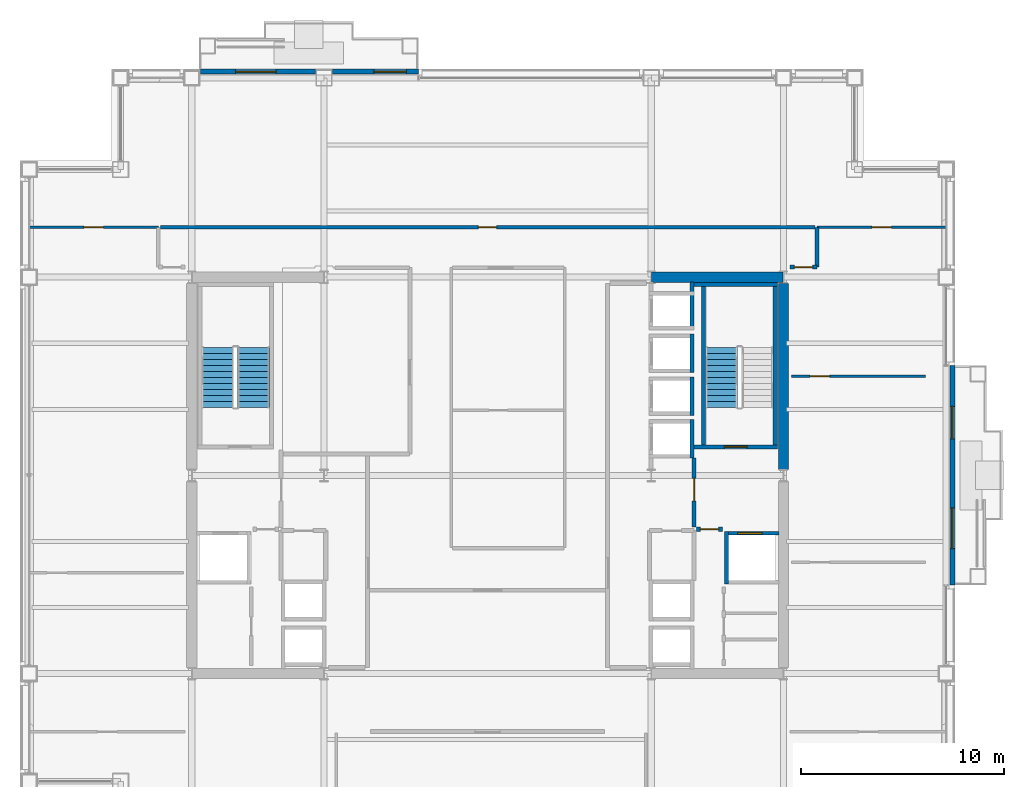
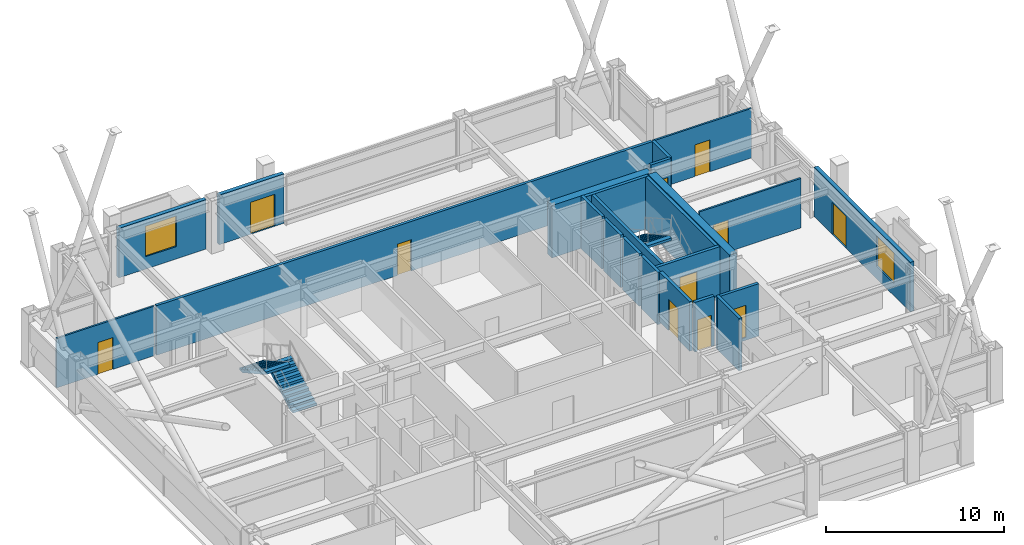
# One storey, part 31 of 35: 23 walls, 11 doors, 3 stair flights, 2 windows, 13 openings, 2 elements without a shape of their own.
"""IFC4 building model written with IfcOpenShell, lengths in metres."""

from ifc_helpers import new_model, si_unit, direction, frame, frame_2d, origin, place, context, subcontext, project, spatial, polyline, rectangle, outline, extrude, material, layer, layer_set, type_object, element, fill, aggregate, save


model = new_model("IFC4")

# Units and contexts
model_context = context("Model", 3, precision=1e-05, world=origin(), true_north=direction((0.0, 1.0)))
body_context = subcontext(model_context, "Body", "Model", "MODEL_VIEW")
ifc_project = project(units=[si_unit("LENGTHUNIT", "METRE"), si_unit("AREAUNIT", "SQUARE_METRE"), si_unit("VOLUMEUNIT", "CUBIC_METRE"), si_unit("PLANEANGLEUNIT", "RADIAN"), si_unit("MASSUNIT", "GRAM", prefix="KILO")], contexts=[model_context])

# Site, building, storey
site_placement = place(None, origin())
site = spatial("IfcSite", under=ifc_project, at=site_placement, CompositionType="ELEMENT")
building_placement = place(site_placement, origin())
building = spatial("IfcBuilding", under=site, at=building_placement, Name="Brelmoor Portico Tower", CompositionType="ELEMENT")
storey_placement = place(building_placement, frame((0.0, 0.0, 131.39990234375)))
storey = spatial("IfcBuildingStorey", under=building, at=storey_placement, Name="L34", CompositionType="ELEMENT", Elevation=131.39990234375)

# Walls
ifc_material_1 = material(Name="Concrete C60", Category="concrete")
ifc_layer_1 = layer(ifc_material_1, 0.5)
ifc_layer_set_1 = layer_set([ifc_layer_1], Name="Concrete C60")
wall_type_1 = type_object("IfcWallType", Name="WL-CORE-500", PredefinedType="SHEAR", material=ifc_layer_set_1)
wall_1_placement = place(storey_placement, frame((8.070068359375, 9.75, -0.199951171875), z_axis=(0.0, 0.0, 1.0), x_axis=(1.0, 0.0, 0.0)))
element("IfcWall", 1, at=wall_1_placement, inside=storey, type_object=wall_type_1, Name="L34 EC North Shear Wall", PredefinedType="SHEAR", context=body_context, shape_type="SweptSolid", body=[
    extrude(rectangle(XDim=6.4599609375, YDim=0.5, at=frame_2d((3.22998046875, 0.0))), origin(), (0.0, 0.0, 1.0), 3.60009765625),
])
wall_2_placement = place(storey_placement, frame((14.550048828125, 0.300048828125, -0.199951171875), z_axis=(0.0, 0.0, 1.0), x_axis=(0.0, 1.0, 0.0)))
element("IfcWall", 2, at=wall_2_placement, inside=storey, type_object=wall_type_1, Name="L34 EC Outer North Shear Wall", PredefinedType="SHEAR", context=body_context, shape_type="SweptSolid", body=[
    extrude(rectangle(XDim=9.14990234375, YDim=0.5, at=frame_2d((4.574951171875, 0.0))), origin(), (0.0, 0.0, 1.0), 3.60009765625),
])

# Wall, opening, window
ifc_material_2 = material(Name="Precast Concrete C40 Insulated Facade Wall", Category="concrete")
ifc_layer_2 = layer(ifc_material_2, 0.25)
ifc_layer_set_2 = layer_set([ifc_layer_2], Name="Precast Concrete C40 Insulated Facade Wall")
wall_type_2 = type_object("IfcWallType", Name="WL-EXT-250", PredefinedType="STANDARD", material=ifc_layer_set_2)
wall_3_placement = place(storey_placement, frame((-14.1298828125, 19.860107421875, 0.0), z_axis=(0.0, 0.0, 1.0), x_axis=(1.0, 0.0, 0.0)))
wall_3 = element("IfcWall", 3, at=wall_3_placement, inside=storey, type_object=wall_type_2, Name="L34 Loggia Threshold Wall N-1", PredefinedType="STANDARD", context=body_context, shape_type="SweptSolid", body=[
    extrude(rectangle(XDim=5.659912109375, YDim=0.25, at=frame_2d((2.830078125, 0.0))), origin(), (0.0, 0.0, 1.0), 3.400146484375),
])
opening_1_placement = place(wall_3_placement, frame((1.72998046875, 0.0, 0.85009765625)))
opening_1 = element("IfcOpeningElement", 4, at=opening_1_placement, cuts=wall_3, Name="Opening W-03", PredefinedType="OPENING", context=body_context, shape_type="SweptSolid", body=[
    extrude(rectangle(XDim=2.0, YDim=2.10009765625, at=frame_2d((1.0, 1.050048828125))), frame((0.0, 0.135009765625, 0.0), z_axis=(0.0, -1.0, 0.0), x_axis=(1.0, 0.0, 0.0)), (0.0, 0.0, 1.0), 0.27001953125),
])
ifc_material_3 = material(Name="Thermally Broken Aluminium Low-E Window", Category="aluminium")
window_type = type_object("IfcWindowType", Name="WN-LOGGIA-2000x2100", PartitioningType="SINGLE_PANEL", PredefinedType="WINDOW", material=ifc_material_3)
window_1_placement = place(opening_1_placement, origin())
window_1 = element("IfcWindow", 5, at=window_1_placement, inside=storey, type_object=window_type, Name="L34 Loggia Window N", OverallHeight=2.10009765625, OverallWidth=2.0, PartitioningType="SINGLE_PANEL", PredefinedType="WINDOW", context=body_context, shape_type="SweptSolid", body=[
    extrude(rectangle(XDim=2.0, YDim=2.10009765625, at=frame_2d((1.0, 1.050048828125))), frame((0.0, 0.030029296875, 0.0), z_axis=(0.0, -1.0, 0.0), x_axis=(1.0, 0.0, 0.0)), (0.0, 0.0, 1.0), 0.06005859375),
])
fill(opening_1, window_1)

# Wall, opening, door
wall_4_placement = place(storey_placement, frame((-7.6298828125, 19.860107421875, 0.0), z_axis=(0.0, 0.0, 1.0), x_axis=(1.0, 0.0, 0.0)))
wall_4 = element("IfcWall", 6, at=wall_4_placement, inside=storey, type_object=wall_type_2, Name="L34 Loggia Threshold Wall N-2", PredefinedType="STANDARD", context=body_context, shape_type="SweptSolid", body=[
    extrude(rectangle(XDim=4.22998046875, YDim=0.25, at=frame_2d((2.114990234375, 0.0))), origin(), (0.0, 0.0, 1.0), 3.400146484375),
])
opening_2_placement = place(wall_4_placement, frame((2.030029296875, 0.0, 0.0)))
opening_2 = element("IfcOpeningElement", 7, at=opening_2_placement, cuts=wall_4, Name="Opening D-TB1", PredefinedType="OPENING", context=body_context, shape_type="SweptSolid", body=[
    extrude(rectangle(XDim=1.60009765625, YDim=2.199951171875, at=frame_2d((0.800048828125, 1.10009765625))), frame((0.0, 0.135009765625, 0.0), z_axis=(0.0, -1.0, 0.0), x_axis=(1.0, 0.0, 0.0)), (0.0, 0.0, 1.0), 0.27001953125),
])
ifc_material_4 = material(Name="Double-Leaf Thermally Broken Terrace Door", Category="aluminium")
door_type_1 = type_object("IfcDoorType", Name="DR-BALCONY-1600", OperationType="NOTDEFINED", PredefinedType="DOOR", material=ifc_material_4)
door_1_placement = place(opening_2_placement, origin())
door_1 = element("IfcDoor", 8, at=door_1_placement, inside=storey, type_object=door_type_1, Name="D-1499 L34 Tree Balcony Double Door N", OperationType="DOUBLE_DOOR_SINGLE_SWING", OverallHeight=2.199951171875, OverallWidth=1.60009765625, PredefinedType="DOOR", context=body_context, shape_type="SweptSolid", body=[
    extrude(rectangle(XDim=1.60009765625, YDim=2.199951171875, at=frame_2d((0.800048828125, 1.10009765625))), frame((0.0, 0.02490234375, 0.0), z_axis=(0.0, -1.0, 0.0), x_axis=(1.0, 0.0, 0.0)), (0.0, 0.0, 1.0), 0.050048828125),
])
fill(opening_2, door_1)

# Wall, openings, door, window
wall_5_placement = place(storey_placement, frame((22.860107421875, -5.39990234375, 0.0), z_axis=(0.0, 0.0, 1.0), x_axis=(0.0, 1.0, 0.0)))
wall_5 = element("IfcWall", 9, at=wall_5_placement, inside=storey, type_object=wall_type_2, Name="L34 Loggia Threshold Wall E-1", PredefinedType="STANDARD", context=body_context, shape_type="SweptSolid", body=[
    extrude(rectangle(XDim=10.7998046875, YDim=0.25, at=frame_2d((5.39990234375, 0.0))), origin(), (0.0, 0.0, 1.0), 3.400146484375),
])
opening_3_placement = place(wall_5_placement, frame((7.199951171875, 0.0, 0.0)))
opening_3 = element("IfcOpeningElement", 10, at=opening_3_placement, cuts=wall_5, Name="Opening D-TB1", PredefinedType="OPENING", context=body_context, shape_type="SweptSolid", body=[
    extrude(rectangle(XDim=1.60009765625, YDim=2.199951171875, at=frame_2d((0.800048828125, 1.10009765625))), frame((0.0, 0.135009765625, 0.0), z_axis=(0.0, -1.0, 0.0), x_axis=(1.0, 0.0, 0.0)), (0.0, 0.0, 1.0), 0.27001953125),
])
opening_4_placement = place(wall_5_placement, frame((1.800048828125, 0.0, 0.85009765625)))
opening_4 = element("IfcOpeningElement", 11, at=opening_4_placement, cuts=wall_5, Name="Opening W-03", PredefinedType="OPENING", context=body_context, shape_type="SweptSolid", body=[
    extrude(rectangle(XDim=2.0, YDim=2.10009765625, at=frame_2d((1.0, 1.050048828125))), frame((0.0, 0.135009765625, 0.0), z_axis=(0.0, -1.0, 0.0), x_axis=(1.0, 0.0, 0.0)), (0.0, 0.0, 1.0), 0.27001953125),
])
door_2_placement = place(opening_3_placement, origin())
door_2 = element("IfcDoor", 12, at=door_2_placement, inside=storey, type_object=door_type_1, Name="D-1498 L34 Tree Balcony Double Door E", OperationType="DOUBLE_DOOR_SINGLE_SWING", OverallHeight=2.199951171875, OverallWidth=1.60009765625, PredefinedType="DOOR", context=body_context, shape_type="SweptSolid", body=[
    extrude(rectangle(XDim=1.60009765625, YDim=2.199951171875, at=frame_2d((0.800048828125, 1.10009765625))), frame((0.0, 0.02490234375, 0.0), z_axis=(0.0, -1.0, 0.0), x_axis=(1.0, 0.0, 0.0)), (0.0, 0.0, 1.0), 0.050048828125),
])
fill(opening_3, door_2)
window_2_placement = place(opening_4_placement, origin())
window_2 = element("IfcWindow", 13, at=window_2_placement, inside=storey, type_object=window_type, Name="L34 Loggia Window E", OverallHeight=2.10009765625, OverallWidth=2.0, PartitioningType="SINGLE_PANEL", PredefinedType="WINDOW", context=body_context, shape_type="SweptSolid", body=[
    extrude(rectangle(XDim=2.0, YDim=2.10009765625, at=frame_2d((1.0, 1.050048828125))), frame((0.0, 0.030029296875, 0.0), z_axis=(0.0, -1.0, 0.0), x_axis=(1.0, 0.0, 0.0)), (0.0, 0.0, 1.0), 0.06005859375),
])
fill(opening_4, window_2)

# Wall, opening, door
ifc_material_5 = material(Name="Lightweight Gypsum Office Partition", Category="gypsum")
ifc_layer_3 = layer(ifc_material_5, 0.1201171875)
ifc_layer_set_3 = layer_set([ifc_layer_3], Name="Lightweight Gypsum Office Partition")
wall_type_3 = type_object("IfcWallType", Name="WL-PART-120", PredefinedType="PARTITIONING", material=ifc_layer_set_3)
wall_6_placement = place(storey_placement, frame((-22.56005859375, 12.199951171875, 0.0), z_axis=(0.0, 0.0, 1.0), x_axis=(1.0, 0.0, 0.0)))
wall_6 = element("IfcWall", 14, at=wall_6_placement, inside=storey, type_object=wall_type_3, Name="L34 North Wing Closure WL", PredefinedType="PARTITIONING", context=body_context, shape_type="SweptSolid", body=[
    extrude(rectangle(XDim=6.360107421875, YDim=0.1201171875, at=frame_2d((3.18017578125, 0.0))), origin(), (0.0, 0.0, 1.0), 3.400146484375),
])
opening_5_placement = place(wall_6_placement, frame((2.699951171875, 0.0, 0.0)))
opening_5 = element("IfcOpeningElement", 15, at=opening_5_placement, cuts=wall_6, Name="Opening D-IN2", PredefinedType="OPENING", context=body_context, shape_type="SweptSolid", body=[
    extrude(rectangle(XDim=0.9599609375, YDim=2.179931640625, at=frame_2d((0.47998046875, 1.08984375))), frame((0.0, 0.070068359375, 0.0), z_axis=(0.0, -1.0, 0.0), x_axis=(1.0, 0.0, 0.0)), (0.0, 0.0, 1.0), 0.14013671875),
])
ifc_material_6 = material(Name="Lacquered Timber Suite Door", Category="wood")
door_type_2 = type_object("IfcDoorType", Name="DR-INT-950", OperationType="NOTDEFINED", PredefinedType="DOOR", material=ifc_material_6)
door_3_placement = place(opening_5_placement, origin())
door_3 = element("IfcDoor", 16, at=door_3_placement, inside=storey, type_object=door_type_2, Name="D-1489 L34 WL Wing North Suite Door", OperationType="SINGLE_SWING_LEFT", OverallHeight=2.179931640625, OverallWidth=0.9599609375, PredefinedType="DOOR", context=body_context, shape_type="SweptSolid", body=[
    extrude(rectangle(XDim=0.9599609375, YDim=2.179931640625, at=frame_2d((0.47998046875, 1.08984375))), frame((0.0, 0.02490234375, 0.0), z_axis=(0.0, -1.0, 0.0), x_axis=(1.0, 0.0, 0.0)), (0.0, 0.0, 1.0), 0.050048828125),
])
fill(opening_5, door_3)

wall_7_placement = place(storey_placement, frame((16.199951171875, 12.199951171875, 0.0), z_axis=(0.0, 0.0, 1.0), x_axis=(1.0, 0.0, 0.0)))
wall_7 = element("IfcWall", 17, at=wall_7_placement, inside=storey, type_object=wall_type_3, Name="L34 North Wing Closure ER", PredefinedType="PARTITIONING", context=body_context, shape_type="SweptSolid", body=[
    extrude(rectangle(XDim=6.360107421875, YDim=0.1201171875, at=frame_2d((3.18017578125, 0.0))), origin(), (0.0, 0.0, 1.0), 3.400146484375),
])
opening_6_placement = place(wall_7_placement, frame((2.699951171875, 0.0, 0.0)))
opening_6 = element("IfcOpeningElement", 18, at=opening_6_placement, cuts=wall_7, Name="Opening D-IN2", PredefinedType="OPENING", context=body_context, shape_type="SweptSolid", body=[
    extrude(rectangle(XDim=0.9599609375, YDim=2.179931640625, at=frame_2d((0.47998046875, 1.08984375))), frame((0.0, 0.070068359375, 0.0), z_axis=(0.0, -1.0, 0.0), x_axis=(1.0, 0.0, 0.0)), (0.0, 0.0, 1.0), 0.14013671875),
])
door_4_placement = place(opening_6_placement, origin())
door_4 = element("IfcDoor", 19, at=door_4_placement, inside=storey, type_object=door_type_2, Name="D-1488 L34 ER Wing North Suite Door", OperationType="SINGLE_SWING_RIGHT", OverallHeight=2.179931640625, OverallWidth=0.9599609375, PredefinedType="DOOR", context=body_context, shape_type="SweptSolid", body=[
    extrude(rectangle(XDim=0.9599609375, YDim=2.179931640625, at=frame_2d((0.47998046875, 1.08984375))), frame((0.0, 0.02490234375, 0.0), z_axis=(0.0, -1.0, 0.0), x_axis=(1.0, 0.0, 0.0)), (0.0, 0.0, 1.0), 0.050048828125),
])
fill(opening_6, door_4)

wall_8_placement = place(storey_placement, frame((14.9599609375, 4.8701171875, 0.0), z_axis=(0.0, 0.0, 1.0), x_axis=(1.0, 0.0, 0.0)))
wall_8 = element("IfcWall", 20, at=wall_8_placement, inside=storey, type_object=wall_type_3, Name="L34 E Wing Partition 2", PredefinedType="PARTITIONING", context=body_context, shape_type="SweptSolid", body=[
    extrude(rectangle(XDim=6.590087890625, YDim=0.1201171875, at=frame_2d((3.294921875, 0.0))), origin(), (0.0, 0.0, 1.0), 3.400146484375),
])
opening_7_placement = place(wall_8_placement, frame((0.89990234375, 0.0, 0.0)))
opening_7 = element("IfcOpeningElement", 21, at=opening_7_placement, cuts=wall_8, Name="Opening D-IN2", PredefinedType="OPENING", context=body_context, shape_type="SweptSolid", body=[
    extrude(rectangle(XDim=0.9599609375, YDim=2.179931640625, at=frame_2d((0.47998046875, 1.08984375))), frame((0.0, 0.070068359375, 0.0), z_axis=(0.0, -1.0, 0.0), x_axis=(1.0, 0.0, 0.0)), (0.0, 0.0, 1.0), 0.14013671875),
])
door_5_placement = place(opening_7_placement, origin())
door_5 = element("IfcDoor", 22, at=door_5_placement, inside=storey, type_object=door_type_2, Name="D-1501 L34 E Wing Suite Connecting Door 2", OperationType="SINGLE_SWING_RIGHT", OverallHeight=2.179931640625, OverallWidth=0.9599609375, PredefinedType="DOOR", context=body_context, shape_type="SweptSolid", body=[
    extrude(rectangle(XDim=0.9599609375, YDim=2.179931640625, at=frame_2d((0.47998046875, 1.08984375))), frame((0.0, 0.02490234375, 0.0), z_axis=(0.0, -1.0, 0.0), x_axis=(1.0, 0.0, 0.0)), (0.0, 0.0, 1.0), 0.050048828125),
])
fill(opening_7, door_5)

ifc_material_7 = material(Name="Acoustic Corridor Fire Partition", Category="gypsum")
ifc_layer_4 = layer(ifc_material_7, 0.179931640625)
ifc_layer_set_4 = layer_set([ifc_layer_4], Name="Acoustic Corridor Fire Partition")
wall_type_4 = type_object("IfcWallType", Name="WL-PART-180", PredefinedType="PARTITIONING", material=ifc_layer_set_4)
wall_9_placement = place(storey_placement, frame((-16.10009765625, 12.199951171875, 0.0), z_axis=(0.0, 0.0, 1.0), x_axis=(1.0, 0.0, 0.0)))
wall_9 = element("IfcWall", 23, at=wall_9_placement, inside=storey, type_object=wall_type_4, Name="L34 North Corridor Partition", PredefinedType="PARTITIONING", context=body_context, shape_type="SweptSolid", body=[
    extrude(rectangle(XDim=32.2001953125, YDim=0.179931640625, at=frame_2d((16.10009765625, 0.0))), origin(), (0.0, 0.0, 1.0), 3.400146484375),
])
opening_8_placement = place(wall_9_placement, frame((15.64990234375, 0.0, 0.0)))
opening_8 = element("IfcOpeningElement", 24, at=opening_8_placement, cuts=wall_9, Name="Opening D-IN1", PredefinedType="OPENING", context=body_context, shape_type="SweptSolid", body=[
    extrude(rectangle(XDim=0.89990234375, YDim=2.14990234375, at=frame_2d((0.449951171875, 1.074951171875))), frame((0.0, 0.099853515625, 0.0), z_axis=(0.0, -1.0, 0.0), x_axis=(1.0, 0.0, 0.0)), (0.0, 0.0, 1.0), 0.199951171875),
])
door_type_3 = type_object("IfcDoorType", Name="DR-INT-900", OperationType="NOTDEFINED", PredefinedType="DOOR", material=ifc_material_6)
door_6_placement = place(opening_8_placement, origin())
door_6 = element("IfcDoor", 25, at=door_6_placement, inside=storey, type_object=door_type_3, Name="D-1487 L34 North Reading Library 1 Door", OperationType="SINGLE_SWING_RIGHT", OverallHeight=2.14990234375, OverallWidth=0.89990234375, PredefinedType="DOOR", context=body_context, shape_type="SweptSolid", body=[
    extrude(rectangle(XDim=0.89990234375, YDim=2.14990234375, at=frame_2d((0.449951171875, 1.074951171875))), frame((0.0, 0.02490234375, 0.0), z_axis=(0.0, -1.0, 0.0), x_axis=(1.0, 0.0, 0.0)), (0.0, 0.0, 1.0), 0.050048828125),
])
fill(opening_8, door_6)

wall_10_placement = place(storey_placement, frame((14.8798828125, 10.25, 0.0), z_axis=(0.0, 0.0, 1.0), x_axis=(1.0, 0.0, 0.0)))
wall_10 = element("IfcWall", 26, at=wall_10_placement, inside=storey, type_object=wall_type_4, Name="L34 E Wing North Entry Wall", PredefinedType="PARTITIONING", context=body_context, shape_type="SweptSolid", body=[
    extrude(rectangle(XDim=1.320068359375, YDim=0.179931640625, at=frame_2d((0.66015625, 0.0))), origin(), (0.0, 0.0, 1.0), 3.400146484375),
])
opening_9_placement = place(wall_10_placement, frame((0.2099609375, 0.0, 0.0)))
opening_9 = element("IfcOpeningElement", 27, at=opening_9_placement, cuts=wall_10, Name="Opening D-IN1", PredefinedType="OPENING", context=body_context, shape_type="SweptSolid", body=[
    extrude(rectangle(XDim=0.89990234375, YDim=2.14990234375, at=frame_2d((0.449951171875, 1.074951171875))), frame((0.0, 0.099853515625, 0.0), z_axis=(0.0, -1.0, 0.0), x_axis=(1.0, 0.0, 0.0)), (0.0, 0.0, 1.0), 0.199951171875),
])
door_7_placement = place(opening_9_placement, origin())
door_7 = element("IfcDoor", 28, at=door_7_placement, inside=storey, type_object=door_type_3, Name="D-1502 L34 E Wing Entry Door", OperationType="SINGLE_SWING_RIGHT", OverallHeight=2.14990234375, OverallWidth=0.89990234375, PredefinedType="DOOR", context=body_context, shape_type="SweptSolid", body=[
    extrude(rectangle(XDim=0.89990234375, YDim=2.14990234375, at=frame_2d((0.449951171875, 1.074951171875))), frame((0.0, 0.02490234375, 0.0), z_axis=(0.0, -1.0, 0.0), x_axis=(1.0, 0.0, 0.0)), (0.0, 0.0, 1.0), 0.050048828125),
])
fill(opening_9, door_7)

# Wall
wall_11_placement = place(storey_placement, frame((16.199951171875, 10.25, 0.0), z_axis=(0.0, 0.0, 1.0), x_axis=(0.0, 1.0, 0.0)))
element("IfcWall", 29, at=wall_11_placement, inside=storey, type_object=wall_type_4, Name="L34 E Corridor End Closure", PredefinedType="PARTITIONING", context=body_context, shape_type="SweptSolid", body=[
    extrude(rectangle(XDim=1.949951171875, YDim=0.179931640625, at=frame_2d((0.97509765625, 0.0))), origin(), (0.0, 0.0, 1.0), 3.400146484375),
])

# Wall, opening, door
ifc_material_8 = material(Name="Double-Stud Gypsum Fire Partition", Category="gypsum")
ifc_layer_5 = layer(ifc_material_8, 0.199951171875)
ifc_layer_set_5 = layer_set([ifc_layer_5], Name="Double-Stud Gypsum Fire Partition")
wall_type_5 = type_object("IfcWallType", Name="WL-PART-200", PredefinedType="PARTITIONING", material=ifc_layer_set_5)
wall_12_placement = place(storey_placement, frame((10.159912109375, -2.550048828125, 0.0), z_axis=(0.0, 0.0, 1.0), x_axis=(0.0, 1.0, 0.0)))
wall_12 = element("IfcWall", 30, at=wall_12_placement, inside=storey, type_object=wall_type_5, Name="L34 E Firefighting Lobby Wall", PredefinedType="PARTITIONING", context=body_context, shape_type="SweptSolid", body=[
    extrude(rectangle(XDim=3.400146484375, YDim=0.199951171875, at=frame_2d((1.7001953125, 0.0))), origin(), (0.0, 0.0, 1.0), 3.400146484375),
])
opening_10_placement = place(wall_12_placement, frame((1.300048828125, 0.0, 0.0)))
opening_10 = element("IfcOpeningElement", 31, at=opening_10_placement, cuts=wall_12, Name="Opening D-FR1", PredefinedType="OPENING", context=body_context, shape_type="SweptSolid", body=[
    extrude(rectangle(XDim=1.10009765625, YDim=2.14990234375, at=frame_2d((0.550048828125, 1.074951171875))), frame((0.0, 0.10986328125, 0.0), z_axis=(0.0, -1.0, 0.0), x_axis=(1.0, 0.0, 0.0)), (0.0, 0.0, 1.0), 0.219970703125),
])
ifc_material_9 = material(Name="Painted Galvanised Steel Fire Door", Category="steel")
door_type_4 = type_object("IfcDoorType", Name="DR-FIRE-1100", OperationType="NOTDEFINED", PredefinedType="DOOR", material=ifc_material_9)
door_8_placement = place(opening_10_placement, origin())
door_8 = element("IfcDoor", 32, at=door_8_placement, inside=storey, type_object=door_type_4, Name="D-1483 L34 E Firefighting Lobby Door", OperationType="SINGLE_SWING_LEFT", OverallHeight=2.14990234375, OverallWidth=1.10009765625, PredefinedType="DOOR", context=body_context, shape_type="SweptSolid", body=[
    extrude(rectangle(XDim=1.10009765625, YDim=2.14990234375, at=frame_2d((0.550048828125, 1.074951171875))), frame((0.0, 0.02490234375, 0.0), z_axis=(0.0, -1.0, 0.0), x_axis=(1.0, 0.0, 0.0)), (0.0, 0.0, 1.0), 0.050048828125),
])
fill(opening_10, door_8)

wall_13_placement = place(storey_placement, frame((10.280029296875, -2.64990234375, 0.0), z_axis=(0.0, 0.0, 1.0), x_axis=(1.0, 0.0, 0.0)))
wall_13 = element("IfcWall", 33, at=wall_13_placement, inside=storey, type_object=wall_type_5, Name="L34 E Firefighting Lobby South Wall", PredefinedType="PARTITIONING", context=body_context, shape_type="SweptSolid", body=[
    extrude(rectangle(XDim=1.27001953125, YDim=0.199951171875, at=frame_2d((0.635009765625, 0.0))), origin(), (0.0, 0.0, 1.0), 3.400146484375),
])
opening_11_placement = place(wall_13_placement, frame((0.18505859375, 0.0, 0.0)))
opening_11 = element("IfcOpeningElement", 34, at=opening_11_placement, cuts=wall_13, Name="Opening D-IN1", PredefinedType="OPENING", context=body_context, shape_type="SweptSolid", body=[
    extrude(rectangle(XDim=0.89990234375, YDim=2.14990234375, at=frame_2d((0.449951171875, 1.074951171875))), frame((0.0, 0.10986328125, 0.0), z_axis=(0.0, -1.0, 0.0), x_axis=(1.0, 0.0, 0.0)), (0.0, 0.0, 1.0), 0.219970703125),
])
door_9_placement = place(opening_11_placement, origin())
door_9 = element("IfcDoor", 35, at=door_9_placement, inside=storey, type_object=door_type_3, Name="D-1478 L34 E Core Service Vestibule Door", OperationType="SINGLE_SWING_RIGHT", OverallHeight=2.14990234375, OverallWidth=0.89990234375, PredefinedType="DOOR", context=body_context, shape_type="SweptSolid", body=[
    extrude(rectangle(XDim=0.89990234375, YDim=2.14990234375, at=frame_2d((0.449951171875, 1.074951171875))), frame((0.0, 0.02490234375, 0.0), z_axis=(0.0, -1.0, 0.0), x_axis=(1.0, 0.0, 0.0)), (0.0, 0.0, 1.0), 0.050048828125),
])
fill(opening_11, door_9)

# Walls
ifc_material_10 = material(Name="Precast Concrete C40", Category="concrete")
ifc_layer_6 = layer(ifc_material_10, 0.18994140625)
ifc_layer_set_6 = layer_set([ifc_layer_6], Name="Precast Concrete C40")
wall_type_6 = type_object("IfcWallType", Name="WL-SHAFT-180", PredefinedType="SOLIDWALL", material=ifc_layer_set_6)
wall_14_placement = place(storey_placement, frame((10.054931640625, 0.85009765625, -0.199951171875), z_axis=(0.0, 0.0, 1.0), x_axis=(0.0, 1.0, 0.0)))
element("IfcWall", 36, at=wall_14_placement, inside=storey, type_object=wall_type_6, Name="L34 Lift PM1 Hoistway Back Wall", PredefinedType="SOLIDWALL", context=body_context, shape_type="SweptSolid", body=[
    extrude(rectangle(XDim=1.89990234375, YDim=0.18994140625, at=frame_2d((0.949951171875, 0.0))), origin(), (0.0, 0.0, 1.0), 3.60009765625),
])
wall_15_placement = place(storey_placement, frame((10.054931640625, 2.949951171875, -0.199951171875), z_axis=(0.0, 0.0, 1.0), x_axis=(0.0, 1.0, 0.0)))
element("IfcWall", 37, at=wall_15_placement, inside=storey, type_object=wall_type_6, Name="L34 Lift PM2 Hoistway Back Wall", PredefinedType="SOLIDWALL", context=body_context, shape_type="SweptSolid", body=[
    extrude(rectangle(XDim=1.900146484375, YDim=0.18994140625, at=frame_2d((0.9501953125, 0.0))), origin(), (0.0, 0.0, 1.0), 3.60009765625),
])
wall_16_placement = place(storey_placement, frame((10.054931640625, 5.050048828125, -0.199951171875), z_axis=(0.0, 0.0, 1.0), x_axis=(0.0, 1.0, 0.0)))
element("IfcWall", 38, at=wall_16_placement, inside=storey, type_object=wall_type_6, Name="L34 Lift PM3 Hoistway Back Wall", PredefinedType="SOLIDWALL", context=body_context, shape_type="SweptSolid", body=[
    extrude(rectangle(XDim=1.89990234375, YDim=0.18994140625, at=frame_2d((0.949951171875, 0.0))), origin(), (0.0, 0.0, 1.0), 3.60009765625),
])
wall_17_placement = place(storey_placement, frame((10.054931640625, 7.14990234375, -0.199951171875), z_axis=(0.0, 0.0, 1.0), x_axis=(0.0, 1.0, 0.0)))
element("IfcWall", 39, at=wall_17_placement, inside=storey, type_object=wall_type_6, Name="L34 Lift PM4 Hoistway Back Wall", PredefinedType="SOLIDWALL", context=body_context, shape_type="SweptSolid", body=[
    extrude(rectangle(XDim=2.3701171875, YDim=0.18994140625, at=frame_2d((1.18505859375, 0.0))), origin(), (0.0, 0.0, 1.0), 3.60009765625),
])

# Wall, opening, door
wall_18_placement = place(storey_placement, frame((11.64990234375, -2.844970703125, -0.199951171875), z_axis=(0.0, 0.0, 1.0), x_axis=(1.0, 0.0, 0.0)))
wall_18 = element("IfcWall", 40, at=wall_18_placement, inside=storey, type_object=wall_type_6, Name="L34 Lift FF2 Hoistway Front Wall", PredefinedType="SOLIDWALL", context=body_context, shape_type="SweptSolid", body=[
    extrude(rectangle(XDim=2.68017578125, YDim=0.18994140625, at=frame_2d((1.340087890625, 0.0))), origin(), (0.0, 0.0, 1.0), 3.60009765625),
])
opening_12_placement = place(wall_18_placement, frame((0.64990234375, 0.0, 0.199951171875)))
opening_12 = element("IfcOpeningElement", 41, at=opening_12_placement, cuts=wall_18, Name="Opening LD-02", PredefinedType="OPENING", context=body_context, shape_type="SweptSolid", body=[
    extrude(rectangle(XDim=1.199951171875, YDim=2.199951171875, at=frame_2d((0.60009765625, 1.10009765625))), frame((0.0, 0.10498046875, 0.0), z_axis=(0.0, -1.0, 0.0), x_axis=(1.0, 0.0, 0.0)), (0.0, 0.0, 1.0), 0.2099609375),
])
ifc_material_11 = material(Name="Brushed Stainless Steel Firefighting Lift Door", Category="steel")
door_type_5 = type_object("IfcDoorType", Name="DR-LIFT-1200", OperationType="NOTDEFINED", PredefinedType="DOOR", material=ifc_material_11)
door_10_placement = place(opening_12_placement, origin())
door_10 = element("IfcDoor", 42, at=door_10_placement, inside=storey, type_object=door_type_5, Name="D-1506 L34 Lift FF2 Sliding Landing Door", OperationType="SLIDING_TO_LEFT", OverallHeight=2.199951171875, OverallWidth=1.199951171875, PredefinedType="DOOR", context=body_context, shape_type="SweptSolid", body=[
    extrude(rectangle(XDim=1.199951171875, YDim=2.199951171875, at=frame_2d((0.60009765625, 1.10009765625))), frame((0.0, 0.02490234375, 0.0), z_axis=(0.0, -1.0, 0.0), x_axis=(1.0, 0.0, 0.0)), (0.0, 0.0, 1.0), 0.050048828125),
])
fill(opening_12, door_10)

# Walls
wall_19_placement = place(storey_placement, frame((11.7451171875, -5.35009765625, -0.199951171875), z_axis=(0.0, 0.0, 1.0), x_axis=(0.0, 1.0, 0.0)))
element("IfcWall", 43, at=wall_19_placement, inside=storey, type_object=wall_type_6, Name="L34 Firefighting Lift FF2 Inner Wall", PredefinedType="SOLIDWALL", context=body_context, shape_type="SweptSolid", body=[
    extrude(rectangle(XDim=2.60009765625, YDim=0.18994140625, at=frame_2d((1.300048828125, 0.0))), origin(), (0.0, 0.0, 1.0), 3.60009765625),
])
ifc_material_12 = material(Name="Concrete C40", Category="concrete")
ifc_layer_7 = layer(ifc_material_12, 0.199951171875)
ifc_layer_set_7 = layer_set([ifc_layer_7], Name="Concrete C40")
wall_type_7 = type_object("IfcWallType", Name="WL-SHAFT-RC200", PredefinedType="SOLIDWALL", material=ifc_layer_set_7)
wall_20_placement = place(storey_placement, frame((14.14990234375, 1.5, -0.199951171875), z_axis=(0.0, 0.0, 1.0), x_axis=(0.0, 1.0, 0.0)))
element("IfcWall", 44, at=wall_20_placement, inside=storey, type_object=wall_type_7, Name="L34 ST-E Structural Stair Wall Outer", PredefinedType="SOLIDWALL", context=body_context, shape_type="SweptSolid", body=[
    extrude(rectangle(XDim=7.800048828125, YDim=0.199951171875, at=frame_2d((3.89990234375, 0.0))), origin(), (0.0, 0.0, 1.0), 3.60009765625),
])

# Wall, opening, door
wall_21_placement = place(storey_placement, frame((10.14990234375, 1.39990234375, -0.199951171875), z_axis=(0.0, 0.0, 1.0), x_axis=(1.0, 0.0, 0.0)))
wall_21 = element("IfcWall", 45, at=wall_21_placement, inside=storey, type_object=wall_type_7, Name="L34 ST-E Structural Stair Wall S", PredefinedType="SOLIDWALL", context=body_context, shape_type="SweptSolid", body=[
    extrude(rectangle(XDim=4.10009765625, YDim=0.199951171875, at=frame_2d((2.050048828125, 0.0))), origin(), (0.0, 0.0, 1.0), 3.60009765625),
])
opening_13_placement = place(wall_21_placement, frame((1.5, 0.0, 0.199951171875)))
opening_13 = element("IfcOpeningElement", 46, at=opening_13_placement, cuts=wall_21, Name="Opening D-ST1", PredefinedType="OPENING", context=body_context, shape_type="SweptSolid", body=[
    extrude(rectangle(XDim=1.1201171875, YDim=2.179931640625, at=frame_2d((0.56005859375, 1.08984375))), frame((0.0, 0.10986328125, 0.0), z_axis=(0.0, -1.0, 0.0), x_axis=(1.0, 0.0, 0.0)), (0.0, 0.0, 1.0), 0.219970703125),
])
door_type_6 = type_object("IfcDoorType", Name="DR-STAIR-1100", OperationType="NOTDEFINED", PredefinedType="DOOR", material=ifc_material_9)
door_11_placement = place(opening_13_placement, origin())
door_11 = element("IfcDoor", 47, at=door_11_placement, inside=storey, type_object=door_type_6, Name="D-1494 L34 ST-E Protected Exit Stair Door", OperationType="SINGLE_SWING_RIGHT", OverallHeight=2.179931640625, OverallWidth=1.1201171875, PredefinedType="DOOR", context=body_context, shape_type="SweptSolid", body=[
    extrude(rectangle(XDim=1.1201171875, YDim=2.179931640625, at=frame_2d((0.56005859375, 1.08984375))), frame((0.0, 0.02490234375, 0.0), z_axis=(0.0, -1.0, 0.0), x_axis=(1.0, 0.0, 0.0)), (0.0, 0.0, 1.0), 0.050048828125),
])
fill(opening_13, door_11)

# Walls
wall_22_placement = place(storey_placement, frame((10.14990234375, 9.39990234375, -0.199951171875), z_axis=(0.0, 0.0, 1.0), x_axis=(1.0, 0.0, 0.0)))
element("IfcWall", 48, at=wall_22_placement, inside=storey, type_object=wall_type_7, Name="L34 ST-E Structural Stair Wall N", PredefinedType="SOLIDWALL", context=body_context, shape_type="SweptSolid", body=[
    extrude(rectangle(XDim=4.10009765625, YDim=0.199951171875, at=frame_2d((2.050048828125, 0.0))), origin(), (0.0, 0.0, 1.0), 3.60009765625),
])
wall_23_placement = place(storey_placement, frame((10.6298828125, 1.5, -0.199951171875), z_axis=(0.0, 0.0, 1.0), x_axis=(0.0, 1.0, 0.0)))
element("IfcWall", 49, at=wall_23_placement, inside=storey, type_object=wall_type_7, Name="L34 ST-E Structural Stair Wall Inner", PredefinedType="SOLIDWALL", context=body_context, shape_type="SweptSolid", body=[
    extrude(rectangle(XDim=7.800048828125, YDim=0.199951171875, at=frame_2d((3.89990234375, 0.0))), origin(), (0.0, 0.0, 1.0), 3.60009765625),
])

# Stair, stair flights
stair_type_1 = type_object("IfcStairType", Name="ST-CORE-W", PredefinedType="HALF_TURN_STAIR", material=ifc_material_12)
stair_1_placement = place(storey_placement, origin())
stair_1 = element("IfcStair", 50, at=stair_1_placement, inside=storey, type_object=stair_type_1, Name="L34 Protected Core Exit Stair ST-W", PredefinedType="HALF_TURN_STAIR")
stair_flight_type = type_object("IfcStairFlightType", Name="SF-CORE-1850", PredefinedType="STRAIGHT", material=ifc_material_12)
stair_flight_1_placement = place(storey_placement, frame((-11.510009765625, 3.35009765625, 0.0), z_axis=(0.0, 0.0, 1.0), x_axis=(0.0, 1.0, 0.0)))
stair_flight_1 = element("IfcStairFlight", 51, at=stair_flight_1_placement, type_object=stair_flight_type, Name="ST-W flight 1", NumberOfRisers=11, NumberOfTreads=10, PredefinedType="STRAIGHT", RiserHeight=0.163636364, TreadLength=0.295, context=body_context, shape_type="SweptSolid", body=[
    extrude(outline(polyline([(0.0, 0.0), (0.0, 0.16357421875), (0.294921875, 0.16357421875), (0.294921875, 0.327392578125), (0.590087890625, 0.327392578125), (0.590087890625, 0.490966796875), (0.885009765625, 0.490966796875), (0.885009765625, 0.654541015625), (1.179931640625, 0.654541015625), (1.179931640625, 0.818115234375), (1.47509765625, 0.818115234375), (1.47509765625, 0.98193359375), (1.77001953125, 0.98193359375), (1.77001953125, 1.1455078125), (2.06494140625, 1.1455078125), (2.06494140625, 1.30908203125), (2.360107421875, 1.30908203125), (2.360107421875, 1.47265625), (2.655029296875, 1.47265625), (2.655029296875, 1.636474609375), (2.949951171875, 1.636474609375), (2.949951171875, 1.800048828125), (2.949951171875, 1.46484375), (0.30908203125, 0.0), (0.0, 0.0)])), frame((0.0, 0.780029296875, 0.0), z_axis=(0.0, -1.0, 0.0), x_axis=(1.0, 0.0, 0.0)), (0.0, 0.0, 1.0), 1.56005859375),
])
stair_flight_2_placement = place(storey_placement, frame((-13.27001953125, 6.300048828125, 1.800048828125), z_axis=(0.0, 0.0, 1.0), x_axis=(0.0, -1.0, 0.0)))
stair_flight_2 = element("IfcStairFlight", 52, at=stair_flight_2_placement, type_object=stair_flight_type, Name="ST-W flight 2", NumberOfRisers=11, NumberOfTreads=10, PredefinedType="STRAIGHT", RiserHeight=0.163636364, TreadLength=0.295, context=body_context, shape_type="SweptSolid", body=[
    extrude(outline(polyline([(0.0, 0.0), (0.0, 0.16357421875), (0.294921875, 0.16357421875), (0.294921875, 0.327392578125), (0.590087890625, 0.327392578125), (0.590087890625, 0.490966796875), (0.885009765625, 0.490966796875), (0.885009765625, 0.654541015625), (1.179931640625, 0.654541015625), (1.179931640625, 0.818115234375), (1.47509765625, 0.818115234375), (1.47509765625, 0.98193359375), (1.77001953125, 0.98193359375), (1.77001953125, 1.1455078125), (2.06494140625, 1.1455078125), (2.06494140625, 1.30908203125), (2.360107421875, 1.30908203125), (2.360107421875, 1.47265625), (2.655029296875, 1.47265625), (2.655029296875, 1.636474609375), (2.949951171875, 1.636474609375), (2.949951171875, 1.800048828125), (2.949951171875, 1.46484375), (0.30908203125, 0.0), (0.0, 0.0)])), frame((0.0, 0.780029296875, 0.0), z_axis=(0.0, -1.0, 0.0), x_axis=(1.0, 0.0, 0.0)), (0.0, 0.0, 1.0), 1.56005859375),
])
aggregate(stair_1, [stair_flight_1, stair_flight_2])

# Stair, stair flight
stair_type_2 = type_object("IfcStairType", Name="ST-CORE-E", PredefinedType="HALF_TURN_STAIR", material=ifc_material_12)
stair_2_placement = place(storey_placement, origin())
stair_2 = element("IfcStair", 53, at=stair_2_placement, inside=storey, type_object=stair_type_2, Name="L34 Protected Core Exit Stair ST-E", PredefinedType="HALF_TURN_STAIR")
stair_flight_3_placement = place(storey_placement, frame((11.510009765625, 6.300048828125, 1.800048828125), z_axis=(0.0, 0.0, 1.0), x_axis=(0.0, -1.0, 0.0)))
stair_flight_3 = element("IfcStairFlight", 54, at=stair_flight_3_placement, type_object=stair_flight_type, Name="ST-E flight 2", NumberOfRisers=11, NumberOfTreads=10, PredefinedType="STRAIGHT", RiserHeight=0.163636364, TreadLength=0.295, context=body_context, shape_type="SweptSolid", body=[
    extrude(outline(polyline([(0.0, 0.0), (0.0, 0.16357421875), (0.294921875, 0.16357421875), (0.294921875, 0.327392578125), (0.590087890625, 0.327392578125), (0.590087890625, 0.490966796875), (0.885009765625, 0.490966796875), (0.885009765625, 0.654541015625), (1.179931640625, 0.654541015625), (1.179931640625, 0.818115234375), (1.47509765625, 0.818115234375), (1.47509765625, 0.98193359375), (1.77001953125, 0.98193359375), (1.77001953125, 1.1455078125), (2.06494140625, 1.1455078125), (2.06494140625, 1.30908203125), (2.360107421875, 1.30908203125), (2.360107421875, 1.47265625), (2.655029296875, 1.47265625), (2.655029296875, 1.636474609375), (2.949951171875, 1.636474609375), (2.949951171875, 1.800048828125), (2.949951171875, 1.46484375), (0.30908203125, 0.0), (0.0, 0.0)])), frame((0.0, 0.780029296875, 0.0), z_axis=(0.0, -1.0, 0.0), x_axis=(1.0, 0.0, 0.0)), (0.0, 0.0, 1.0), 1.56005859375),
])
aggregate(stair_2, [stair_flight_3])

save(model, "model.ifc")
